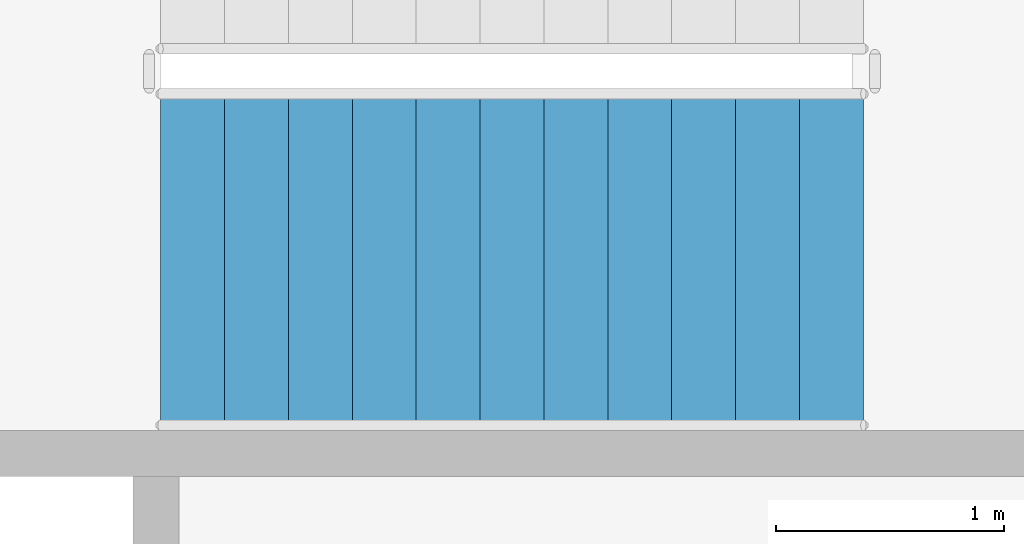
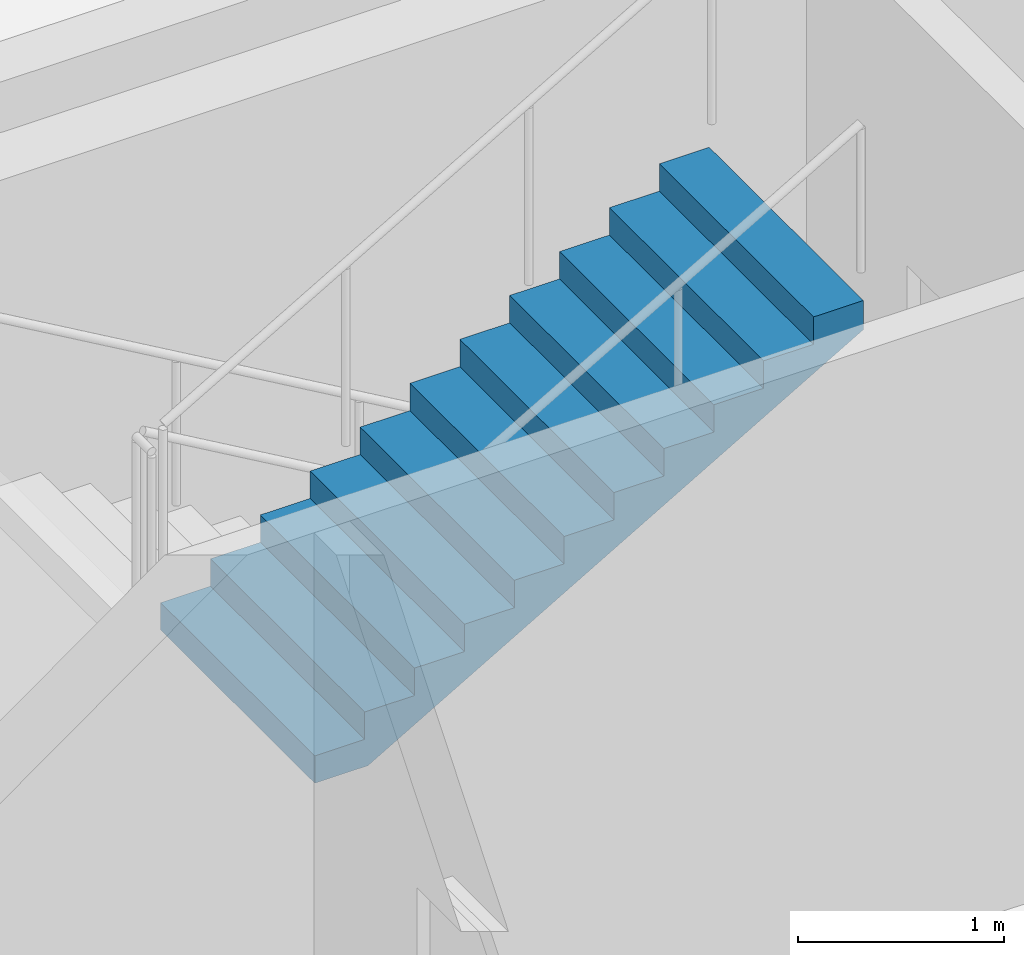
# One storey, part 75 of 95: 1 stair flight, 1 element without a shape of its own.
"""IFC4 building model written with IfcOpenShell, lengths in metres."""

from ifc_helpers import new_model, si_unit, direction, frame, origin, place, context, subcontext, project, spatial, triangles, material, type_object, element, aggregate, save


model = new_model("IFC4")

# Units and contexts
model_context = context("Model", 3, precision=1e-05, world=origin(), true_north=direction((0.0, 1.0)))
body_context = subcontext(model_context, "Body", "Model", "MODEL_VIEW")
ifc_project = project(units=[si_unit("LENGTHUNIT", "METRE"), si_unit("AREAUNIT", "SQUARE_METRE"), si_unit("VOLUMEUNIT", "CUBIC_METRE"), si_unit("PLANEANGLEUNIT", "RADIAN"), si_unit("MASSUNIT", "GRAM", prefix="KILO")], contexts=[model_context])

# Site, building, storey
site_placement = place(None, origin())
site = spatial("IfcSite", under=ifc_project, at=site_placement, CompositionType="ELEMENT")
building_placement = place(site_placement, origin())
building = spatial("IfcBuilding", under=site, at=building_placement, Name="Magnolia Steps Interchange", CompositionType="ELEMENT")
storey_placement = place(building_placement, frame((0.0, 0.0, 4.800048828125)))
storey = spatial("IfcBuildingStorey", under=building, at=storey_placement, Name="L01", CompositionType="ELEMENT", Elevation=4.800048828125)

# Stair, stair flight
ifc_material_1 = material(Name="Concrete C40", Category="concrete")
stair_type = type_object("IfcStairType", Name="Exit stair 1500", PredefinedType="HALF_TURN_STAIR", material=ifc_material_1)
stair_placement = place(storey_placement, origin())
stair = element("IfcStair", 1, at=stair_placement, inside=storey, type_object=stair_type, Name="L01 Stair 2", PredefinedType="HALF_TURN_STAIR")
ifc_material_2 = material(Name="Concrete C40", Category="concrete")
stair_flight_type = type_object("IfcStairFlightType", Name="Exit stair flight", PredefinedType="STRAIGHT", material=ifc_material_2)
stair_flight_placement = place(storey_placement, frame((55.919921875, 82.699951171875, 1.949951171875), z_axis=(0.0, 0.0, 1.0), x_axis=(1.0, 0.0, 0.0)))
stair_flight = element("IfcStairFlight", 2, at=stair_flight_placement, type_object=stair_flight_type, Name="Stair 2 flight 2", NumberOfRisers=12, NumberOfTreads=11, PredefinedType="STRAIGHT", RiserHeight=0.1625, TreadLength=0.28, context=body_context, shape_type="Tessellation", body=[
    triangles([(0.0, -0.75, 0.0), (0.298583984375, -0.75, 0.0), (3.080078125, -0.75, 1.6142578125), (3.080078125, -0.75, 1.78759765625), (2.800048828125, -0.75, 1.78759765625), (2.800048828125, -0.75, 1.625), (2.52001953125, -0.75, 1.625), (2.52001953125, -0.75, 1.46240234375), (2.239990234375, -0.75, 1.46240234375), (2.239990234375, -0.75, 1.300048828125), (1.9599609375, -0.75, 1.300048828125), (1.9599609375, -0.75, 1.137451171875), (1.679931640625, -0.75, 1.137451171875), (1.679931640625, -0.75, 0.97509765625), (1.39990234375, -0.75, 0.97509765625), (1.39990234375, -0.75, 0.8125), (1.1201171875, -0.75, 0.8125), (1.1201171875, -0.75, 0.64990234375), (0.840087890625, -0.75, 0.64990234375), (0.840087890625, -0.75, 0.487548828125), (0.56005859375, -0.75, 0.487548828125), (0.56005859375, -0.75, 0.324951171875), (0.280029296875, -0.75, 0.324951171875), (0.280029296875, -0.75, 0.16259765625), (0.0, -0.75, 0.16259765625), (0.0, 0.75, 0.0), (0.298583984375, 0.75, 0.0), (3.080078125, 0.75, 1.6142578125), (3.080078125, 0.75, 1.78759765625), (2.800048828125, 0.75, 1.78759765625), (2.800048828125, 0.75, 1.625), (2.52001953125, 0.75, 1.625), (2.52001953125, 0.75, 1.46240234375), (2.239990234375, 0.75, 1.46240234375), (2.239990234375, 0.75, 1.300048828125), (1.9599609375, 0.75, 1.300048828125), (1.9599609375, 0.75, 1.137451171875), (1.679931640625, 0.75, 1.137451171875), (1.679931640625, 0.75, 0.97509765625), (1.39990234375, 0.75, 0.97509765625), (1.39990234375, 0.75, 0.8125), (1.1201171875, 0.75, 0.8125), (1.1201171875, 0.75, 0.64990234375), (0.840087890625, 0.75, 0.64990234375), (0.840087890625, 0.75, 0.487548828125), (0.56005859375, 0.75, 0.487548828125), (0.56005859375, 0.75, 0.324951171875), (0.280029296875, 0.75, 0.324951171875), (0.280029296875, 0.75, 0.16259765625), (0.0, 0.75, 0.16259765625), (0.0, 0.0, 0.0), (0.0, 0.0, 0.0406494140625), (0.0, 0.0, 0.081298828125), (0.0, 0.0, 0.1219482421875), (0.0, 0.0, 0.16259765625), (0.0, -0.05, 0.0), (0.0, -0.05, 0.16259765625), (0.0, 0.05, 0.0), (0.0, 0.05, 0.16259765625), (0.046671549479166664, 0.0, 0.16259765625), (0.09334309895833333, 0.0, 0.16259765625), (0.1400146484375, 0.0, 0.16259765625), (0.18668619791666666, 0.0, 0.16259765625), (0.23335774739583334, 0.0, 0.16259765625), (0.280029296875, 0.0, 0.16259765625), (0.280029296875, -0.05, 0.16259765625), (0.280029296875, 0.05, 0.16259765625), (0.280029296875, 0.0, 0.20318603515625), (0.280029296875, 0.0, 0.2437744140625), (0.280029296875, 0.0, 0.28436279296875), (0.280029296875, 0.0, 0.324951171875), (0.280029296875, -0.05, 0.324951171875), (0.280029296875, 0.05, 0.324951171875), (0.3267008463541667, 0.0, 0.324951171875), (0.3733723958333333, 0.0, 0.324951171875), (0.4200439453125, 0.0, 0.324951171875), (0.46671549479166663, 0.0, 0.324951171875), (0.5133870442708334, 0.0, 0.324951171875), (0.56005859375, 0.0, 0.324951171875), (0.56005859375, -0.05, 0.324951171875), (0.56005859375, 0.05, 0.324951171875), (0.56005859375, 0.0, 0.3656005859375), (0.56005859375, 0.0, 0.40625), (0.56005859375, 0.0, 0.4468994140625), (0.56005859375, 0.0, 0.487548828125), (0.56005859375, -0.05, 0.487548828125), (0.56005859375, 0.05, 0.487548828125), (0.6067301432291666, 0.0, 0.487548828125), (0.6534016927083334, 0.0, 0.487548828125), (0.7000732421875, 0.0, 0.487548828125), (0.7467447916666666, 0.0, 0.487548828125), (0.7934163411458334, 0.0, 0.487548828125), (0.840087890625, 0.0, 0.487548828125), (0.840087890625, -0.05, 0.487548828125), (0.840087890625, 0.05, 0.487548828125), (0.840087890625, 0.0, 0.52813720703125), (0.840087890625, 0.0, 0.5687255859375), (0.840087890625, 0.0, 0.60931396484375), (0.840087890625, 0.0, 0.64990234375), (0.840087890625, -0.05, 0.64990234375), (0.840087890625, 0.05, 0.64990234375), (0.8867594401041666, 0.0, 0.64990234375), (0.9334309895833334, 0.0, 0.64990234375), (0.9801025390625, 0.0, 0.64990234375), (1.0267740885416667, 0.0, 0.64990234375), (1.0734456380208333, 0.0, 0.64990234375), (1.1201171875, 0.0, 0.64990234375), (1.1201171875, -0.05, 0.64990234375), (1.1201171875, 0.05, 0.64990234375), (1.1201171875, 0.0, 0.6905517578125), (1.1201171875, 0.0, 0.731201171875), (1.1201171875, 0.0, 0.7718505859375), (1.1201171875, 0.0, 0.8125), (1.1201171875, -0.05, 0.8125), (1.1201171875, 0.05, 0.8125), (1.1900634765625, 0.0, 0.8125), (1.260009765625, 0.0, 0.8125), (1.3299560546875, 0.0, 0.8125), (1.39990234375, 0.0, 0.8125), (1.39990234375, -0.05, 0.8125), (1.39990234375, 0.05, 0.8125), (1.39990234375, 0.0, 0.8531494140625), (1.39990234375, 0.0, 0.893798828125), (1.39990234375, 0.0, 0.9344482421875), (1.39990234375, 0.0, 0.97509765625), (1.39990234375, -0.05, 0.97509765625), (1.39990234375, 0.05, 0.97509765625), (1.4465738932291667, 0.0, 0.97509765625), (1.4932454427083333, 0.0, 0.97509765625), (1.5399169921875, 0.0, 0.97509765625), (1.5865885416666667, 0.0, 0.97509765625), (1.6332600911458333, 0.0, 0.97509765625), (1.679931640625, 0.0, 0.97509765625), (1.679931640625, -0.05, 0.97509765625), (1.679931640625, 0.05, 0.97509765625), (1.679931640625, 0.0, 1.01568603515625), (1.679931640625, 0.0, 1.0562744140625), (1.679931640625, 0.0, 1.09686279296875), (1.679931640625, 0.0, 1.137451171875), (1.679931640625, -0.05, 1.137451171875), (1.679931640625, 0.05, 1.137451171875), (1.7266031901041667, 0.0, 1.137451171875), (1.7732747395833333, 0.0, 1.137451171875), (1.8199462890625, 0.0, 1.137451171875), (1.8666178385416667, 0.0, 1.137451171875), (1.9132893880208333, 0.0, 1.137451171875), (1.9599609375, 0.0, 1.137451171875), (1.9599609375, -0.05, 1.137451171875), (1.9599609375, 0.05, 1.137451171875), (1.9599609375, 0.0, 1.1781005859375), (1.9599609375, 0.0, 1.21875), (1.9599609375, 0.0, 1.2593994140625), (1.9599609375, 0.0, 1.300048828125), (1.9599609375, -0.05, 1.300048828125), (1.9599609375, 0.05, 1.300048828125), (2.0066324869791665, 0.0, 1.300048828125), (2.0533040364583335, 0.0, 1.300048828125), (2.0999755859375, 0.0, 1.300048828125), (2.1466471354166665, 0.0, 1.300048828125), (2.1933186848958335, 0.0, 1.300048828125), (2.239990234375, 0.0, 1.300048828125), (2.239990234375, -0.05, 1.300048828125), (2.239990234375, 0.05, 1.300048828125), (2.239990234375, 0.0, 1.34063720703125), (2.239990234375, 0.0, 1.3812255859375), (2.239990234375, 0.0, 1.42181396484375), (2.239990234375, 0.0, 1.46240234375), (2.239990234375, -0.05, 1.46240234375), (2.239990234375, 0.05, 1.46240234375), (2.2866617838541665, 0.0, 1.46240234375), (2.3333333333333335, 0.0, 1.46240234375), (2.3800048828125, 0.0, 1.46240234375), (2.4266764322916665, 0.0, 1.46240234375), (2.4733479817708335, 0.0, 1.46240234375), (2.52001953125, 0.0, 1.46240234375), (2.52001953125, -0.05, 1.46240234375), (2.52001953125, 0.05, 1.46240234375), (2.52001953125, 0.0, 1.5030517578125), (2.52001953125, 0.0, 1.543701171875), (2.52001953125, 0.0, 1.5843505859375), (2.52001953125, 0.0, 1.625), (2.52001953125, -0.05, 1.625), (2.52001953125, 0.05, 1.625), (2.5666910807291665, 0.0, 1.625), (2.6133626302083335, 0.0, 1.625), (2.6600341796875, 0.0, 1.625), (2.7067057291666665, 0.0, 1.625), (2.7533772786458335, 0.0, 1.625), (2.800048828125, 0.0, 1.625), (2.800048828125, -0.05, 1.625), (2.800048828125, 0.05, 1.625), (2.800048828125, 0.0, 1.6656494140625), (2.800048828125, 0.0, 1.706298828125), (2.800048828125, 0.0, 1.7469482421875), (2.800048828125, 0.0, 1.78759765625), (2.800048828125, -0.05, 1.78759765625), (2.800048828125, 0.05, 1.78759765625), (2.8467203776041665, 0.0, 1.78759765625), (2.8933919270833335, 0.0, 1.78759765625), (2.9400634765625, 0.0, 1.78759765625), (2.9867350260416665, 0.0, 1.78759765625), (3.0334065755208335, 0.0, 1.78759765625), (3.080078125, 0.0, 1.78759765625), (3.080078125, -0.05, 1.78759765625), (3.080078125, 0.05, 1.78759765625), (3.080078125, 0.0, 1.7442626953125), (3.080078125, 0.0, 1.700927734375), (3.080078125, 0.0, 1.6575927734375), (3.080078125, 0.0, 1.6142578125), (3.080078125, -0.05, 1.6142578125), (3.080078125, 0.05, 1.6142578125), (3.0196108610733696, 0.0, 1.5791652513586956), (2.9591435971467392, 0.0, 1.5440726902173914), (2.898676333220109, 0.0, 1.508980129076087), (2.8382090692934785, 0.0, 1.4738875679347827), (2.7777418053668477, 0.0, 1.4387950067934783), (2.7172745414402173, 0.0, 1.4037024456521738), (2.656807277513587, 0.0, 1.3686098845108696), (2.5963400135869565, 0.0, 1.3335173233695652), (2.535872749660326, 0.0, 1.2984247622282608), (2.475405485733696, 0.0, 1.2633322010869565), (2.4149382218070654, 0.0, 1.228239639945652), (2.3544709578804346, 0.0, 1.193147078804348), (2.294003693953804, 0.0, 1.1580545176630435), (2.233536430027174, 0.0, 1.1229619565217392), (2.1730691661005435, 0.0, 1.0878693953804348), (2.112601902173913, 0.0, 1.0527768342391304), (2.0521346382472827, 0.0, 1.0176842730978262), (1.991667374320652, 0.0, 0.9825917119565217), (1.9312001103940217, 0.0, 0.9474991508152174), (1.8707328464673914, 0.0, 0.9124065896739131), (1.810265582540761, 0.0, 0.8773140285326086), (1.7497983186141304, 0.0, 0.8422214673913043), (1.6893310546875, 0.0, 0.80712890625), (1.6288637907608696, 0.0, 0.7720363451086957), (1.568396526834239, 0.0, 0.7369437839673914), (1.5079292629076086, 0.0, 0.7018512228260869), (1.4474619989809783, 0.0, 0.6667586616847826), (1.386994735054348, 0.0, 0.6316661005434783), (1.3265274711277173, 0.0, 0.5965735394021738), (1.266060207201087, 0.0, 0.5614809782608696), (1.2055929432744565, 0.0, 0.5263884171195652), (1.1451256793478262, 0.0, 0.491295855978261), (1.0846584154211956, 0.0, 0.45620329483695654), (1.0241911514945654, 0.0, 0.4211107336956521), (0.9637238875679346, 0.0, 0.3860181725543479), (0.9032566236413042, 0.0, 0.35092561141304346), (0.8427893597146738, 0.0, 0.315833050271739), (0.7823220957880435, 0.0, 0.2807404891304348), (0.7218548318614131, 0.0, 0.24564792798913038), (0.6613875679347827, 0.0, 0.21055536684782616), (0.6009203040081523, 0.0, 0.17546280570652173), (0.540453040081522, 0.0, 0.1403702445652173), (0.47998577615489113, 0.0, 0.10527768342391308), (0.41951851222826075, 0.0, 0.07018512228260865), (0.3590512483016304, 0.0, 0.035092561141304435), (0.298583984375, 0.0, 0.0), (0.298583984375, -0.05, 0.0), (0.298583984375, 0.05, 0.0), (0.24881998697916666, 0.0, 0.0), (0.19905598958333331, 0.0, 0.0), (0.1492919921875, 0.0, 0.0), (0.09952799479166666, 0.0, 0.0), (0.04976399739583334, 0.0, 0.0)], [[1, 2, 3], [3, 4, 5], [3, 5, 6], [3, 6, 7], [3, 7, 8], [8, 9, 10], [3, 8, 10], [10, 11, 12], [3, 10, 12], [12, 13, 14], [3, 12, 14], [14, 15, 16], [3, 14, 16], [16, 17, 18], [3, 16, 18], [18, 19, 20], [3, 18, 20], [20, 21, 22], [3, 20, 22], [1, 3, 22], [22, 23, 24], [1, 22, 24], [24, 25, 1], [26, 28, 27], [28, 30, 29], [28, 31, 30], [28, 32, 31], [28, 33, 32], [33, 35, 34], [28, 35, 33], [35, 37, 36], [28, 37, 35], [37, 39, 38], [28, 39, 37], [39, 41, 40], [28, 41, 39], [41, 43, 42], [28, 43, 41], [43, 45, 44], [28, 45, 43], [45, 47, 46], [28, 47, 45], [26, 47, 28], [47, 49, 48], [26, 49, 47], [49, 26, 50], [1, 25, 57], [1, 57, 56], [56, 52, 51], [56, 53, 52], [56, 57, 53], [57, 54, 53], [57, 55, 54], [26, 59, 50], [26, 58, 59], [58, 51, 52], [58, 52, 53], [58, 53, 59], [59, 53, 54], [59, 54, 55], [25, 24, 66], [25, 66, 57], [57, 60, 55], [57, 61, 60], [57, 62, 61], [57, 66, 62], [66, 63, 62], [66, 64, 63], [66, 65, 64], [50, 67, 49], [50, 59, 67], [59, 55, 60], [59, 60, 61], [59, 61, 62], [59, 62, 67], [67, 62, 63], [67, 63, 64], [67, 64, 65], [24, 23, 72], [24, 72, 66], [66, 68, 65], [66, 69, 68], [66, 72, 69], [72, 70, 69], [72, 71, 70], [49, 73, 48], [49, 67, 73], [67, 65, 68], [67, 68, 69], [67, 69, 73], [73, 69, 70], [73, 70, 71], [23, 22, 80], [23, 80, 72], [72, 74, 71], [72, 75, 74], [72, 76, 75], [72, 80, 76], [80, 77, 76], [80, 78, 77], [80, 79, 78], [48, 81, 47], [48, 73, 81], [73, 71, 74], [73, 74, 75], [73, 75, 76], [73, 76, 81], [81, 76, 77], [81, 77, 78], [81, 78, 79], [22, 21, 86], [22, 86, 80], [80, 82, 79], [80, 83, 82], [80, 86, 83], [86, 84, 83], [86, 85, 84], [47, 87, 46], [47, 81, 87], [81, 79, 82], [81, 82, 83], [81, 83, 87], [87, 83, 84], [87, 84, 85], [21, 20, 94], [21, 94, 86], [86, 88, 85], [86, 89, 88], [86, 90, 89], [86, 94, 90], [94, 91, 90], [94, 92, 91], [94, 93, 92], [46, 95, 45], [46, 87, 95], [87, 85, 88], [87, 88, 89], [87, 89, 90], [87, 90, 95], [95, 90, 91], [95, 91, 92], [95, 92, 93], [20, 19, 100], [20, 100, 94], [94, 96, 93], [94, 97, 96], [94, 100, 97], [100, 98, 97], [100, 99, 98], [45, 101, 44], [45, 95, 101], [95, 93, 96], [95, 96, 97], [95, 97, 101], [101, 97, 98], [101, 98, 99], [19, 18, 108], [19, 108, 100], [100, 102, 99], [100, 103, 102], [100, 104, 103], [100, 108, 104], [108, 105, 104], [108, 106, 105], [108, 107, 106], [44, 109, 43], [44, 101, 109], [101, 99, 102], [101, 102, 103], [101, 103, 104], [101, 104, 109], [109, 104, 105], [109, 105, 106], [109, 106, 107], [18, 17, 114], [18, 114, 108], [108, 110, 107], [108, 111, 110], [108, 114, 111], [114, 112, 111], [114, 113, 112], [43, 115, 42], [43, 109, 115], [109, 107, 110], [109, 110, 111], [109, 111, 115], [115, 111, 112], [115, 112, 113], [17, 16, 120], [17, 120, 114], [114, 116, 113], [114, 117, 116], [114, 120, 117], [120, 118, 117], [120, 119, 118], [42, 121, 41], [42, 115, 121], [115, 113, 116], [115, 116, 117], [115, 117, 121], [121, 117, 118], [121, 118, 119], [16, 15, 126], [16, 126, 120], [120, 122, 119], [120, 123, 122], [120, 126, 123], [126, 124, 123], [126, 125, 124], [41, 127, 40], [41, 121, 127], [121, 119, 122], [121, 122, 123], [121, 123, 127], [127, 123, 124], [127, 124, 125], [15, 14, 134], [15, 134, 126], [126, 128, 125], [126, 129, 128], [126, 130, 129], [126, 134, 130], [134, 131, 130], [134, 132, 131], [134, 133, 132], [40, 135, 39], [40, 127, 135], [127, 125, 128], [127, 128, 129], [127, 129, 130], [127, 130, 135], [135, 130, 131], [135, 131, 132], [135, 132, 133], [14, 13, 140], [14, 140, 134], [134, 136, 133], [134, 137, 136], [134, 140, 137], [140, 138, 137], [140, 139, 138], [39, 141, 38], [39, 135, 141], [135, 133, 136], [135, 136, 137], [135, 137, 141], [141, 137, 138], [141, 138, 139], [13, 12, 148], [13, 148, 140], [140, 142, 139], [140, 143, 142], [140, 144, 143], [140, 148, 144], [148, 145, 144], [148, 146, 145], [148, 147, 146], [38, 149, 37], [38, 141, 149], [141, 139, 142], [141, 142, 143], [141, 143, 144], [141, 144, 149], [149, 144, 145], [149, 145, 146], [149, 146, 147], [12, 11, 154], [12, 154, 148], [148, 150, 147], [148, 151, 150], [148, 154, 151], [154, 152, 151], [154, 153, 152], [37, 155, 36], [37, 149, 155], [149, 147, 150], [149, 150, 151], [149, 151, 155], [155, 151, 152], [155, 152, 153], [11, 10, 162], [11, 162, 154], [154, 156, 153], [154, 157, 156], [154, 158, 157], [154, 162, 158], [162, 159, 158], [162, 160, 159], [162, 161, 160], [36, 163, 35], [36, 155, 163], [155, 153, 156], [155, 156, 157], [155, 157, 158], [155, 158, 163], [163, 158, 159], [163, 159, 160], [163, 160, 161], [10, 9, 168], [10, 168, 162], [162, 164, 161], [162, 165, 164], [162, 168, 165], [168, 166, 165], [168, 167, 166], [35, 169, 34], [35, 163, 169], [163, 161, 164], [163, 164, 165], [163, 165, 169], [169, 165, 166], [169, 166, 167], [9, 8, 176], [9, 176, 168], [168, 170, 167], [168, 171, 170], [168, 172, 171], [168, 176, 172], [176, 173, 172], [176, 174, 173], [176, 175, 174], [34, 177, 33], [34, 169, 177], [169, 167, 170], [169, 170, 171], [169, 171, 172], [169, 172, 177], [177, 172, 173], [177, 173, 174], [177, 174, 175], [8, 7, 182], [8, 182, 176], [176, 178, 175], [176, 179, 178], [176, 182, 179], [182, 180, 179], [182, 181, 180], [33, 183, 32], [33, 177, 183], [177, 175, 178], [177, 178, 179], [177, 179, 183], [183, 179, 180], [183, 180, 181], [7, 6, 190], [7, 190, 182], [182, 184, 181], [182, 185, 184], [182, 186, 185], [182, 190, 186], [190, 187, 186], [190, 188, 187], [190, 189, 188], [32, 191, 31], [32, 183, 191], [183, 181, 184], [183, 184, 185], [183, 185, 186], [183, 186, 191], [191, 186, 187], [191, 187, 188], [191, 188, 189], [6, 5, 196], [6, 196, 190], [190, 192, 189], [190, 193, 192], [190, 196, 193], [196, 194, 193], [196, 195, 194], [31, 197, 30], [31, 191, 197], [191, 189, 192], [191, 192, 193], [191, 193, 197], [197, 193, 194], [197, 194, 195], [5, 4, 204], [5, 204, 196], [196, 198, 195], [196, 199, 198], [196, 200, 199], [196, 204, 200], [204, 201, 200], [204, 202, 201], [204, 203, 202], [30, 205, 29], [30, 197, 205], [197, 195, 198], [197, 198, 199], [197, 199, 200], [197, 200, 205], [205, 200, 201], [205, 201, 202], [205, 202, 203], [4, 3, 210], [4, 210, 204], [204, 206, 203], [204, 207, 206], [204, 210, 207], [210, 208, 207], [210, 209, 208], [29, 211, 28], [29, 205, 211], [205, 203, 206], [205, 206, 207], [205, 207, 211], [211, 207, 208], [211, 208, 209], [3, 2, 258], [3, 258, 210], [210, 212, 209], [210, 213, 212], [210, 214, 213], [210, 215, 214], [210, 216, 215], [210, 217, 216], [210, 218, 217], [210, 219, 218], [210, 220, 219], [210, 221, 220], [210, 222, 221], [210, 223, 222], [210, 224, 223], [210, 225, 224], [210, 226, 225], [210, 227, 226], [210, 228, 227], [210, 229, 228], [210, 230, 229], [210, 231, 230], [210, 232, 231], [210, 233, 232], [210, 234, 233], [210, 258, 234], [258, 235, 234], [258, 236, 235], [258, 237, 236], [258, 238, 237], [258, 239, 238], [258, 240, 239], [258, 241, 240], [258, 242, 241], [258, 243, 242], [258, 244, 243], [258, 245, 244], [258, 246, 245], [258, 247, 246], [258, 248, 247], [258, 249, 248], [258, 250, 249], [258, 251, 250], [258, 252, 251], [258, 253, 252], [258, 254, 253], [258, 255, 254], [258, 256, 255], [258, 257, 256], [28, 259, 27], [28, 211, 259], [211, 209, 212], [211, 212, 213], [211, 213, 214], [211, 214, 215], [211, 215, 216], [211, 216, 217], [211, 217, 218], [211, 218, 219], [211, 219, 220], [211, 220, 221], [211, 221, 222], [211, 222, 223], [211, 223, 224], [211, 224, 225], [211, 225, 226], [211, 226, 227], [211, 227, 228], [211, 228, 229], [211, 229, 230], [211, 230, 231], [211, 231, 232], [211, 232, 233], [211, 233, 234], [211, 234, 259], [259, 234, 235], [259, 235, 236], [259, 236, 237], [259, 237, 238], [259, 238, 239], [259, 239, 240], [259, 240, 241], [259, 241, 242], [259, 242, 243], [259, 243, 244], [259, 244, 245], [259, 245, 246], [259, 246, 247], [259, 247, 248], [259, 248, 249], [259, 249, 250], [259, 250, 251], [259, 251, 252], [259, 252, 253], [259, 253, 254], [259, 254, 255], [259, 255, 256], [259, 256, 257], [2, 1, 56], [2, 56, 258], [258, 260, 257], [258, 261, 260], [258, 262, 261], [258, 56, 262], [56, 263, 262], [56, 264, 263], [56, 51, 264], [27, 58, 26], [27, 259, 58], [259, 257, 260], [259, 260, 261], [259, 261, 262], [259, 262, 58], [58, 262, 263], [58, 263, 264], [58, 264, 51]], closed=True),
])
aggregate(stair, [stair_flight])

save(model, "model.ifc")
